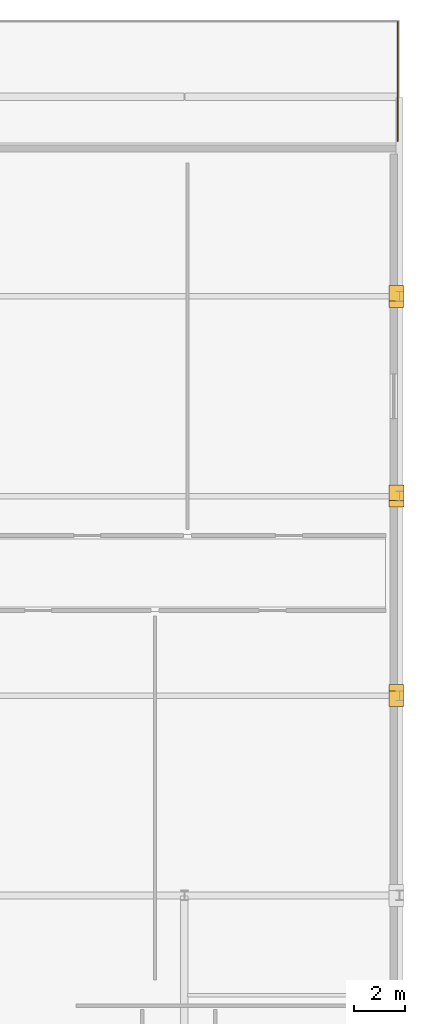
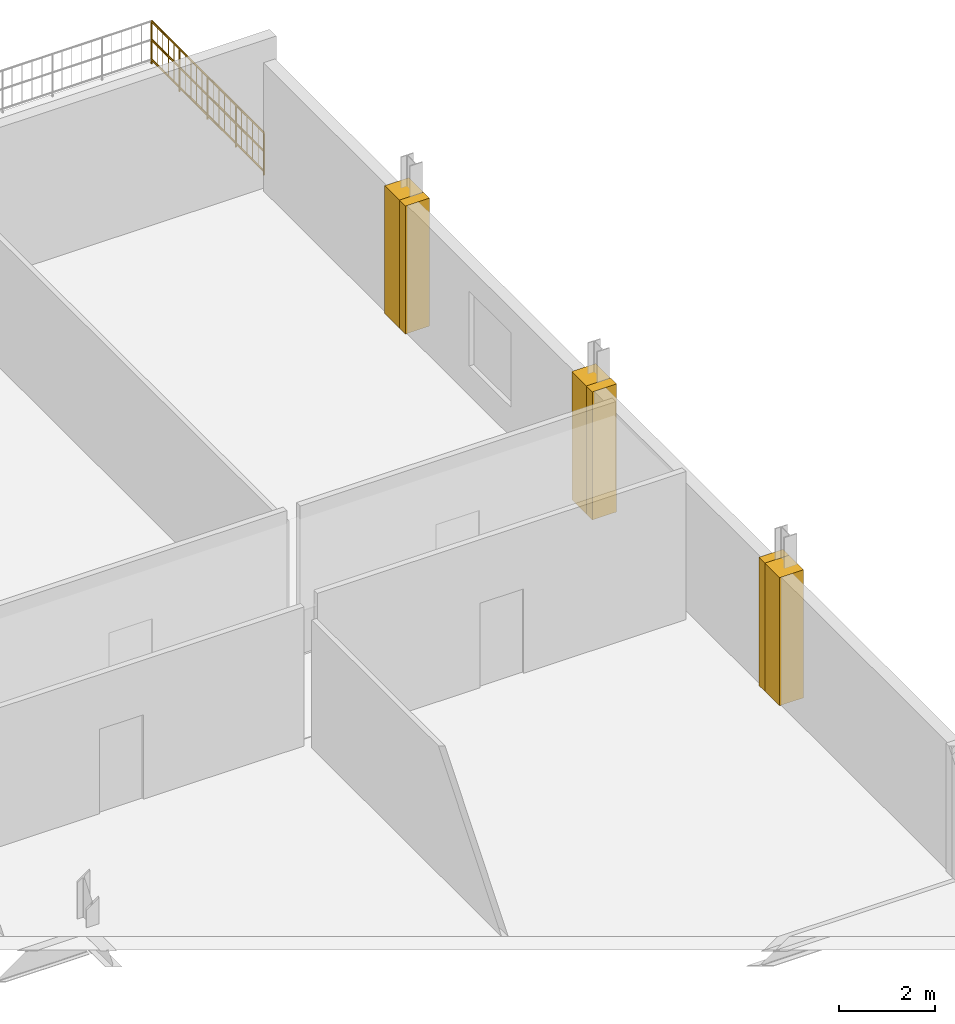
# One storey, part 20 of 20: 6 coverings, 1 railing.
"""IFC4 building model written with IfcOpenShell, lengths in metres."""

from ifc_helpers import new_model, si_unit, direction, frame, origin, origin_2d, place, context, subcontext, project, spatial, polyline, circle, outline, extrude, material, layer, layer_set, type_object, element, save


model = new_model("IFC4")

# Units and contexts
model_context = context("Model", 3, precision=1e-05, world=origin(), true_north=direction((0.0, 1.0)))
body_context = subcontext(model_context, "Body", "Model", "MODEL_VIEW")
ifc_project = project(units=[si_unit("LENGTHUNIT", "METRE"), si_unit("AREAUNIT", "SQUARE_METRE"), si_unit("VOLUMEUNIT", "CUBIC_METRE"), si_unit("PLANEANGLEUNIT", "RADIAN"), si_unit("MASSUNIT", "GRAM", prefix="KILO")], contexts=[model_context])

# Site, building, storey
site_placement = place(None, origin())
site = spatial("IfcSite", under=ifc_project, at=site_placement, CompositionType="ELEMENT")
building_placement = place(site_placement, origin())
building = spatial("IfcBuilding", under=site, at=building_placement, Name="Nabrawat Pavilion Hospital", CompositionType="ELEMENT")
storey_placement = place(building_placement, frame((0.0, 0.0, 27.0)))
storey = spatial("IfcBuildingStorey", under=building, at=storey_placement, Name="L06", CompositionType="ELEMENT", Elevation=27.0)

# Coverings
ifc_material_1 = material(Name="Precast concrete C40/50", Category="concrete")
ifc_layer_1 = layer(ifc_material_1, 0.360107421875, Name="Precast concrete C40/50")
ifc_layer_set_1 = layer_set([ifc_layer_1], Name="Precast concrete C40/50")
covering_type = type_object("IfcCoveringType", Name="Architectural Precast Column-Jamb Closure Reveal", PredefinedType="CLADDING", material=ifc_layer_set_1)
covering_1_placement = place(storey_placement, origin())
element("IfcCovering", 1, at=covering_1_placement, inside=storey, type_object=covering_type, Name="L06 Precast Facade Column-Jamb Weatherseal Closure 0633", PredefinedType="CLADDING", context=body_context, shape_type="SweptSolid", body=[
    extrude(outline(polyline([(193.3798828125, 93.169921875), (193.3798828125, 93.780029296875), (192.800048828125, 93.780029296875), (192.800048828125, 93.169921875), (193.3798828125, 93.169921875)])), origin(), (0.0, 0.0, 1.0), 3.260009765625),
])
covering_2_placement = place(storey_placement, origin())
element("IfcCovering", 2, at=covering_2_placement, inside=storey, type_object=covering_type, Name="L06 Precast Facade Column-Jamb Weatherseal Closure 0634", PredefinedType="CLADDING", context=body_context, shape_type="SweptSolid", body=[
    extrude(outline(polyline([(193.3798828125, 93.419921875), (193.3798828125, 94.030029296875), (192.800048828125, 94.030029296875), (192.800048828125, 93.419921875), (193.3798828125, 93.419921875)])), origin(), (0.0, 0.0, 1.0), 3.260009765625),
])
covering_3_placement = place(storey_placement, origin())
element("IfcCovering", 3, at=covering_3_placement, inside=storey, type_object=covering_type, Name="L06 Precast Facade Column-Jamb Weatherseal Closure 0635", PredefinedType="CLADDING", context=body_context, shape_type="SweptSolid", body=[
    extrude(outline(polyline([(193.3798828125, 100.969970703125), (193.3798828125, 101.580078125), (192.800048828125, 101.580078125), (192.800048828125, 100.969970703125), (193.3798828125, 100.969970703125)])), origin(), (0.0, 0.0, 1.0), 3.260009765625),
])
covering_4_placement = place(storey_placement, origin())
element("IfcCovering", 4, at=covering_4_placement, inside=storey, type_object=covering_type, Name="L06 Precast Facade Column-Jamb Weatherseal Closure 0636", PredefinedType="CLADDING", context=body_context, shape_type="SweptSolid", body=[
    extrude(outline(polyline([(193.3798828125, 101.219970703125), (193.3798828125, 101.830078125), (192.800048828125, 101.830078125), (192.800048828125, 101.219970703125), (193.3798828125, 101.219970703125)])), origin(), (0.0, 0.0, 1.0), 3.260009765625),
])
covering_5_placement = place(storey_placement, origin())
element("IfcCovering", 5, at=covering_5_placement, inside=storey, type_object=covering_type, Name="L06 Precast Facade Column-Jamb Weatherseal Closure 0637", PredefinedType="CLADDING", context=body_context, shape_type="SweptSolid", body=[
    extrude(outline(polyline([(193.3798828125, 108.77001953125), (193.3798828125, 109.3798828125), (192.800048828125, 109.3798828125), (192.800048828125, 108.77001953125), (193.3798828125, 108.77001953125)])), origin(), (0.0, 0.0, 1.0), 3.260009765625),
])
covering_6_placement = place(storey_placement, origin())
element("IfcCovering", 6, at=covering_6_placement, inside=storey, type_object=covering_type, Name="L06 Precast Facade Column-Jamb Weatherseal Closure 0638", PredefinedType="CLADDING", context=body_context, shape_type="SweptSolid", body=[
    extrude(outline(polyline([(193.3798828125, 109.02001953125), (193.3798828125, 109.6298828125), (192.800048828125, 109.6298828125), (192.800048828125, 109.02001953125), (193.3798828125, 109.02001953125)])), origin(), (0.0, 0.0, 1.0), 3.260009765625),
])

# Railing
ifc_material_2 = material(Name="Stainless Steel 316", Category="steel")
ifc_layer_2 = layer(ifc_material_2, 0.070068359375, Name="Stainless Steel 316")
ifc_layer_set_2 = layer_set([ifc_layer_2], Name="Stainless Steel 316")
railing_type = type_object("IfcRailingType", Name="Exterior Clinical Terrace Safety Guardrail 1100", PredefinedType="GUARDRAIL", material=ifc_layer_set_2)
railing_placement = place(storey_placement, frame((193.139892578125, 115.260009765625, 0.0)))
element("IfcRailing", 7, at=railing_placement, inside=storey, type_object=railing_type, Name="L06 Terrace Edge Safety Guardrail T_L06_WARD_NORTH East", PredefinedType="GUARDRAIL", context=body_context, shape_type="SweptSolid", body=[
    extrude(circle(Radius=0.02392578125, at=origin_2d()), frame((0.0, 0.0, 1.076171875), z_axis=(0.0, 1.0, 0.0), x_axis=(-1.0, 0.0, 0.0)), (0.0, 0.0, 1.0), 4.679931640625),
    extrude(circle(Radius=0.02392578125, at=origin_2d()), frame((0.0, 0.0, 0.10009765625), z_axis=(0.0, 1.0, 0.0), x_axis=(-1.0, 0.0, 0.0)), (0.0, 0.0, 1.0), 4.679931640625),
    extrude(circle(Radius=0.02392578125, at=origin_2d()), frame((0.0, 0.0, 0.60498046875), z_axis=(0.0, 1.0, 0.0), x_axis=(-1.0, 0.0, 0.0)), (0.0, 0.0, 1.0), 4.679931640625),
    extrude(circle(Radius=0.008056640625, at=origin_2d()), frame((0.0, 0.23388671875, 0.10009765625)), (0.0, 0.0, 1.0), 0.951904296875),
    extrude(circle(Radius=0.008056640625, at=origin_2d()), frame((0.0, 0.468017578125, 0.10009765625)), (0.0, 0.0, 1.0), 0.951904296875),
    extrude(circle(Radius=0.008056640625, at=origin_2d()), frame((0.0, 0.701904296875, 0.10009765625)), (0.0, 0.0, 1.0), 0.951904296875),
    extrude(circle(Radius=0.008056640625, at=origin_2d()), frame((0.0, 0.93603515625, 0.10009765625)), (0.0, 0.0, 1.0), 0.951904296875),
    extrude(circle(Radius=0.008056640625, at=origin_2d()), frame((0.0, 1.404052734375, 0.10009765625)), (0.0, 0.0, 1.0), 0.951904296875),
    extrude(circle(Radius=0.008056640625, at=origin_2d()), frame((0.0, 1.637939453125, 0.10009765625)), (0.0, 0.0, 1.0), 0.951904296875),
    extrude(circle(Radius=0.008056640625, at=origin_2d()), frame((0.0, 1.8720703125, 0.10009765625)), (0.0, 0.0, 1.0), 0.951904296875),
    extrude(circle(Radius=0.008056640625, at=origin_2d()), frame((0.0, 2.10595703125, 0.10009765625)), (0.0, 0.0, 1.0), 0.951904296875),
    extrude(circle(Radius=0.008056640625, at=origin_2d()), frame((0.0, 2.573974609375, 0.10009765625)), (0.0, 0.0, 1.0), 0.951904296875),
    extrude(circle(Radius=0.008056640625, at=origin_2d()), frame((0.0, 2.807861328125, 0.10009765625)), (0.0, 0.0, 1.0), 0.951904296875),
    extrude(circle(Radius=0.008056640625, at=origin_2d()), frame((0.0, 3.0419921875, 0.10009765625)), (0.0, 0.0, 1.0), 0.951904296875),
    extrude(circle(Radius=0.008056640625, at=origin_2d()), frame((0.0, 3.27587890625, 0.10009765625)), (0.0, 0.0, 1.0), 0.951904296875),
    extrude(circle(Radius=0.008056640625, at=origin_2d()), frame((0.0, 3.743896484375, 0.10009765625)), (0.0, 0.0, 1.0), 0.951904296875),
    extrude(circle(Radius=0.008056640625, at=origin_2d()), frame((0.0, 3.97802734375, 0.10009765625)), (0.0, 0.0, 1.0), 0.951904296875),
    extrude(circle(Radius=0.008056640625, at=origin_2d()), frame((0.0, 4.2119140625, 0.10009765625)), (0.0, 0.0, 1.0), 0.951904296875),
    extrude(circle(Radius=0.008056640625, at=origin_2d()), frame((0.0, 4.446044921875, 0.10009765625)), (0.0, 0.0, 1.0), 0.951904296875),
    extrude(circle(Radius=0.02099609375, at=origin_2d()), origin(), (0.0, 0.0, 1.0), 1.052001953125),
    extrude(circle(Radius=0.02099609375, at=origin_2d()), frame((0.0, 1.169921875, 0.0)), (0.0, 0.0, 1.0), 1.052001953125),
    extrude(circle(Radius=0.02099609375, at=origin_2d()), frame((0.0, 2.33984375, 0.0)), (0.0, 0.0, 1.0), 1.052001953125),
    extrude(circle(Radius=0.02099609375, at=origin_2d()), frame((0.0, 3.510009765625, 0.0)), (0.0, 0.0, 1.0), 1.052001953125),
    extrude(circle(Radius=0.02099609375, at=origin_2d()), frame((0.0, 4.679931640625, 0.0)), (0.0, 0.0, 1.0), 1.052001953125),
])

save(model, "model.ifc")
